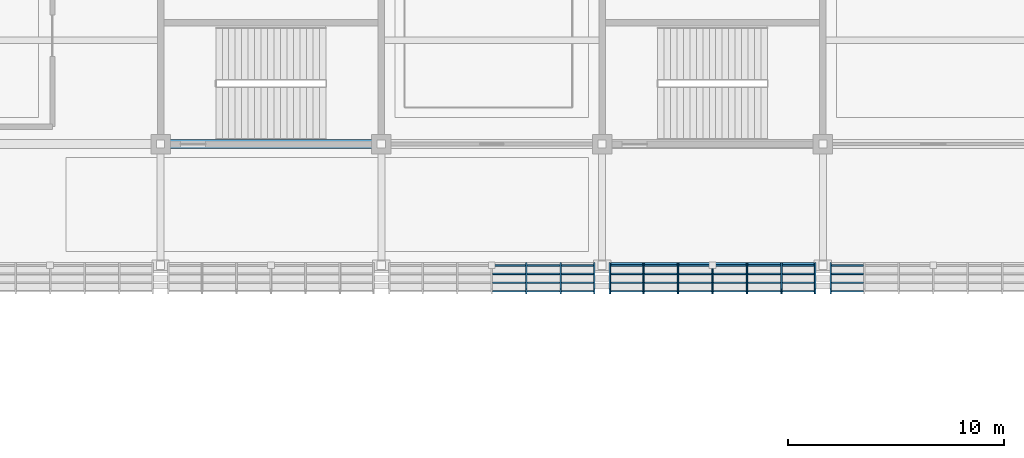
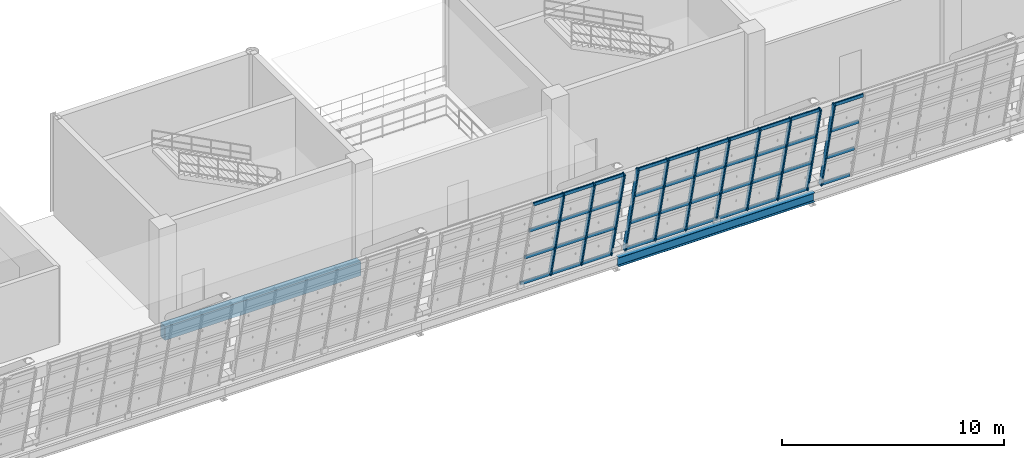
# One storey, part 25 of 175: 51 members, 2 beams, 3 elements without a shape of their own.
"""IFC4 building model written with IfcOpenShell, lengths in metres."""

from ifc_helpers import new_model, si_unit, direction, frame, origin, origin_2d, place, context, subcontext, project, spatial, rectangle, hollow_rectangle, i_section, extrude, material, material_profile, profile_set, type_object, element, aggregate, save


model = new_model("IFC4")

# Units and contexts
model_context = context("Model", 3, precision=1e-05, world=origin(), true_north=direction((0.0, 1.0)))
body_context = subcontext(model_context, "Body", "Model", "MODEL_VIEW")
ifc_project = project(units=[si_unit("LENGTHUNIT", "METRE"), si_unit("AREAUNIT", "SQUARE_METRE"), si_unit("VOLUMEUNIT", "CUBIC_METRE"), si_unit("PLANEANGLEUNIT", "RADIAN"), si_unit("MASSUNIT", "GRAM", prefix="KILO")], contexts=[model_context])

# Site, building, storey
site_placement = place(None, origin())
site = spatial("IfcSite", under=ifc_project, at=site_placement, CompositionType="ELEMENT")
building_placement = place(site_placement, origin())
building = spatial("IfcBuilding", under=site, at=building_placement, Name="Brelvane Convention Centre", CompositionType="ELEMENT")
storey_placement = place(building_placement, frame((0.0, 0.0, 5.39990234375)))
storey = spatial("IfcBuildingStorey", under=building, at=storey_placement, Name="L01", CompositionType="ELEMENT", Elevation=5.39990234375)

# Curtain wall, members
ifc_material_1 = material(Name="Anodised Aluminium Alloy 6063-T6", Category="aluminium")
curtain_wall_type = type_object("IfcCurtainWallType", Name="Curtain Wall CW-HULL-S", PredefinedType="USERDEFINED", material=ifc_material_1)
curtain_wall_1_placement = place(storey_placement, origin())
curtain_wall_1 = element("IfcCurtainWall", 1, at=curtain_wall_1_placement, inside=storey, type_object=curtain_wall_type, Name="Curtain Wall CW-HULL-S L01-HULL-S-L01-05", ObjectType="UNITISED", PredefinedType="USERDEFINED")
ifc_material_2 = material(Name="Anodised Aluminium Alloy 6063-T6", Category="aluminium")
ifc_material_profile_1 = material_profile(ifc_material_2, hollow_rectangle(XDim=0.080078125, YDim=0.239990234375, WallThickness=0.006103515625, InnerFilletRadius=0.006103515625, OuterFilletRadius=0.011962890625, at=origin_2d()), Name="ALU-M 240x80x6.0")
ifc_profile_set_1 = profile_set([ifc_material_profile_1], Name="Anodised Aluminium Alloy 6063-T6")
member_type_1 = type_object("IfcMemberType", Name="Curtain Mullion CW-M1", PredefinedType="MULLION", material=ifc_profile_set_1)
member_1_placement = place(storey_placement, frame((47.493408203125, 13.60009765625, 0.0), z_axis=(0.0, -0.228360162456, 0.973576723326), x_axis=(1.0, 0.0, 0.0)))
member_1 = element("IfcMember", 2, at=member_1_placement, type_object=member_type_1, Name="CW-HULL-S mullion 5", PredefinedType="MULLION", context=body_context, shape_type="SweptSolid", body=[
    extrude(hollow_rectangle(XDim=0.080078125, YDim=0.239990234375, WallThickness=0.006103515625, InnerFilletRadius=0.006103515625, OuterFilletRadius=0.011962890625, at=origin_2d()), origin(), (0.0, 0.0, 1.0), 5.2900390625),
])
member_2_placement = place(storey_placement, frame((49.086669921875, 13.60009765625, 0.0), z_axis=(0.0, -0.228360162456, 0.973576723326), x_axis=(1.0, 0.0, 0.0)))
member_2 = element("IfcMember", 3, at=member_2_placement, type_object=member_type_1, Name="CW-HULL-S mullion 6", PredefinedType="MULLION", context=body_context, shape_type="SweptSolid", body=[
    extrude(hollow_rectangle(XDim=0.080078125, YDim=0.239990234375, WallThickness=0.006103515625, InnerFilletRadius=0.006103515625, OuterFilletRadius=0.011962890625, at=origin_2d()), origin(), (0.0, 0.0, 1.0), 5.2900390625),
])
member_3_placement = place(storey_placement, frame((50.639892578125, 13.60009765625, 0.0), z_axis=(0.0, -0.228360162456, 0.973576723326), x_axis=(1.0, 0.0, 0.0)))
member_3 = element("IfcMember", 4, at=member_3_placement, type_object=member_type_1, Name="CW-HULL-S mullion 7", PredefinedType="MULLION", context=body_context, shape_type="SweptSolid", body=[
    extrude(hollow_rectangle(XDim=0.080078125, YDim=0.239990234375, WallThickness=0.006103515625, InnerFilletRadius=0.006103515625, OuterFilletRadius=0.011962890625, at=origin_2d()), origin(), (0.0, 0.0, 1.0), 5.2900390625),
])

curtain_wall_2_placement = place(storey_placement, origin())
curtain_wall_2 = element("IfcCurtainWall", 5, at=curtain_wall_2_placement, inside=storey, type_object=curtain_wall_type, Name="Curtain Wall CW-HULL-S L01-HULL-S-L01-06", ObjectType="UNITISED", PredefinedType="USERDEFINED")
member_4_placement = place(storey_placement, frame((51.360107421875, 13.60009765625, 0.0), z_axis=(0.0, -0.228360162456, 0.973576723326), x_axis=(1.0, 0.0, 0.0)))
member_4 = element("IfcMember", 6, at=member_4_placement, type_object=member_type_1, Name="CW-HULL-S mullion 1", PredefinedType="MULLION", context=body_context, shape_type="SweptSolid", body=[
    extrude(hollow_rectangle(XDim=0.080078125, YDim=0.239990234375, WallThickness=0.006103515625, InnerFilletRadius=0.006103515625, OuterFilletRadius=0.011962890625, at=origin_2d()), origin(), (0.0, 0.0, 1.0), 5.2900390625),
])
member_5_placement = place(storey_placement, frame((52.913330078125, 13.60009765625, 0.0), z_axis=(0.0, -0.228360162456, 0.973576723326), x_axis=(1.0, 0.0, 0.0)))
member_5 = element("IfcMember", 7, at=member_5_placement, type_object=member_type_1, Name="CW-HULL-S mullion 2", PredefinedType="MULLION", context=body_context, shape_type="SweptSolid", body=[
    extrude(hollow_rectangle(XDim=0.080078125, YDim=0.239990234375, WallThickness=0.006103515625, InnerFilletRadius=0.006103515625, OuterFilletRadius=0.011962890625, at=origin_2d()), origin(), (0.0, 0.0, 1.0), 5.2900390625),
])
member_6_placement = place(storey_placement, frame((54.506591796875, 13.60009765625, 0.0), z_axis=(0.0, -0.228360162456, 0.973576723326), x_axis=(1.0, 0.0, 0.0)))
member_6 = element("IfcMember", 8, at=member_6_placement, type_object=member_type_1, Name="CW-HULL-S mullion 3", PredefinedType="MULLION", context=body_context, shape_type="SweptSolid", body=[
    extrude(hollow_rectangle(XDim=0.080078125, YDim=0.239990234375, WallThickness=0.006103515625, InnerFilletRadius=0.006103515625, OuterFilletRadius=0.011962890625, at=origin_2d()), origin(), (0.0, 0.0, 1.0), 5.2900390625),
])
member_7_placement = place(storey_placement, frame((56.10009765625, 13.60009765625, 0.0), z_axis=(0.0, -0.228360162456, 0.973576723326), x_axis=(1.0, 0.0, 0.0)))
member_7 = element("IfcMember", 9, at=member_7_placement, type_object=member_type_1, Name="CW-HULL-S mullion 4", PredefinedType="MULLION", context=body_context, shape_type="SweptSolid", body=[
    extrude(hollow_rectangle(XDim=0.080078125, YDim=0.239990234375, WallThickness=0.006103515625, InnerFilletRadius=0.006103515625, OuterFilletRadius=0.011962890625, at=origin_2d()), origin(), (0.0, 0.0, 1.0), 5.2900390625),
])
member_8_placement = place(storey_placement, frame((57.693359375, 13.60009765625, 0.0), z_axis=(0.0, -0.228360162456, 0.973576723326), x_axis=(1.0, 0.0, 0.0)))
member_8 = element("IfcMember", 10, at=member_8_placement, type_object=member_type_1, Name="CW-HULL-S mullion 5", PredefinedType="MULLION", context=body_context, shape_type="SweptSolid", body=[
    extrude(hollow_rectangle(XDim=0.080078125, YDim=0.239990234375, WallThickness=0.006103515625, InnerFilletRadius=0.006103515625, OuterFilletRadius=0.011962890625, at=origin_2d()), origin(), (0.0, 0.0, 1.0), 5.2900390625),
])
member_9_placement = place(storey_placement, frame((59.28662109375, 13.60009765625, 0.0), z_axis=(0.0, -0.228360162456, 0.973576723326), x_axis=(1.0, 0.0, 0.0)))
member_9 = element("IfcMember", 11, at=member_9_placement, type_object=member_type_1, Name="CW-HULL-S mullion 6", PredefinedType="MULLION", context=body_context, shape_type="SweptSolid", body=[
    extrude(hollow_rectangle(XDim=0.080078125, YDim=0.239990234375, WallThickness=0.006103515625, InnerFilletRadius=0.006103515625, OuterFilletRadius=0.011962890625, at=origin_2d()), origin(), (0.0, 0.0, 1.0), 5.2900390625),
])
member_10_placement = place(storey_placement, frame((60.840087890625, 13.60009765625, 0.0), z_axis=(0.0, -0.228360162456, 0.973576723326), x_axis=(1.0, 0.0, 0.0)))
member_10 = element("IfcMember", 12, at=member_10_placement, type_object=member_type_1, Name="CW-HULL-S mullion 7", PredefinedType="MULLION", context=body_context, shape_type="SweptSolid", body=[
    extrude(hollow_rectangle(XDim=0.080078125, YDim=0.239990234375, WallThickness=0.006103515625, InnerFilletRadius=0.006103515625, OuterFilletRadius=0.011962890625, at=origin_2d()), origin(), (0.0, 0.0, 1.0), 5.2900390625),
])

# Curtain wall, member
curtain_wall_3_placement = place(storey_placement, origin())
curtain_wall_3 = element("IfcCurtainWall", 13, at=curtain_wall_3_placement, inside=storey, type_object=curtain_wall_type, Name="Curtain Wall CW-HULL-S L01-HULL-S-L01-07", ObjectType="UNITISED", PredefinedType="USERDEFINED")
member_11_placement = place(storey_placement, frame((61.56005859375, 13.60009765625, 0.0), z_axis=(0.0, -0.228360162456, 0.973576723326), x_axis=(1.0, 0.0, 0.0)))
member_11 = element("IfcMember", 14, at=member_11_placement, type_object=member_type_1, Name="CW-HULL-S mullion 1", PredefinedType="MULLION", context=body_context, shape_type="SweptSolid", body=[
    extrude(hollow_rectangle(XDim=0.080078125, YDim=0.239990234375, WallThickness=0.006103515625, InnerFilletRadius=0.006103515625, OuterFilletRadius=0.011962890625, at=origin_2d()), origin(), (0.0, 0.0, 1.0), 5.2900390625),
])

# Member
ifc_material_3 = material(Name="Anodised Aluminium Alloy 6063-T6", Category="aluminium")
ifc_material_profile_2 = material_profile(ifc_material_3, hollow_rectangle(XDim=0.080078125, YDim=0.179931640625, WallThickness=0.0048828125, InnerFilletRadius=0.0048828125, OuterFilletRadius=0.010009765625, at=origin_2d()), Name="ALU-T 180x80x5.0")
ifc_profile_set_2 = profile_set([ifc_material_profile_2], Name="Anodised Aluminium Alloy 6063-T6")
member_type_2 = type_object("IfcMemberType", Name="Curtain Transom CW-T1", PredefinedType="USERDEFINED", material=ifc_profile_set_2)
member_12_placement = place(storey_placement, frame((45.93994140625, 13.590576171875, 0.0400390625), z_axis=(1.0, 0.0, 0.0), x_axis=(0.0, 1.0, 0.0)))
member_12 = element("IfcMember", 15, at=member_12_placement, type_object=member_type_2, Name="CW-HULL-S transom 4.1", ObjectType="TRANSOM", PredefinedType="USERDEFINED", context=body_context, shape_type="SweptSolid", body=[
    extrude(hollow_rectangle(XDim=0.080078125, YDim=0.179931640625, WallThickness=0.0048828125, InnerFilletRadius=0.0048828125, OuterFilletRadius=0.010009765625, at=origin_2d()), origin(), (0.0, 0.0, 1.0), 1.513427734375),
])

member_13_placement = place(storey_placement, frame((45.93994140625, 13.197265625, 1.716796875), z_axis=(1.0, 0.0, 0.0), x_axis=(0.0, 1.0, 0.0)))
member_13 = element("IfcMember", 16, at=member_13_placement, type_object=member_type_2, Name="CW-HULL-S transom 4.2", ObjectType="TRANSOM", PredefinedType="USERDEFINED", context=body_context, shape_type="SweptSolid", body=[
    extrude(hollow_rectangle(XDim=0.080078125, YDim=0.179931640625, WallThickness=0.0048828125, InnerFilletRadius=0.0048828125, OuterFilletRadius=0.010009765625, at=origin_2d()), origin(), (0.0, 0.0, 1.0), 1.513427734375),
])

member_14_placement = place(storey_placement, frame((45.93994140625, 12.794677734375, 3.433349609375), z_axis=(1.0, 0.0, 0.0), x_axis=(0.0, 1.0, 0.0)))
member_14 = element("IfcMember", 17, at=member_14_placement, type_object=member_type_2, Name="CW-HULL-S transom 4.3", ObjectType="TRANSOM", PredefinedType="USERDEFINED", context=body_context, shape_type="SweptSolid", body=[
    extrude(hollow_rectangle(XDim=0.080078125, YDim=0.179931640625, WallThickness=0.0048828125, InnerFilletRadius=0.0048828125, OuterFilletRadius=0.010009765625, at=origin_2d()), origin(), (0.0, 0.0, 1.0), 1.513427734375),
])

member_15_placement = place(storey_placement, frame((45.93994140625, 12.4013671875, 5.110107421875), z_axis=(1.0, 0.0, 0.0), x_axis=(0.0, 1.0, 0.0)))
member_15 = element("IfcMember", 18, at=member_15_placement, type_object=member_type_2, Name="CW-HULL-S transom 4.4", ObjectType="TRANSOM", PredefinedType="USERDEFINED", context=body_context, shape_type="SweptSolid", body=[
    extrude(hollow_rectangle(XDim=0.080078125, YDim=0.179931640625, WallThickness=0.0048828125, InnerFilletRadius=0.0048828125, OuterFilletRadius=0.010009765625, at=origin_2d()), origin(), (0.0, 0.0, 1.0), 1.513427734375),
])

member_16_placement = place(storey_placement, frame((47.533447265625, 13.590576171875, 0.0400390625), z_axis=(1.0, 0.0, 0.0), x_axis=(0.0, 1.0, 0.0)))
member_16 = element("IfcMember", 19, at=member_16_placement, type_object=member_type_2, Name="CW-HULL-S transom 5.1", ObjectType="TRANSOM", PredefinedType="USERDEFINED", context=body_context, shape_type="SweptSolid", body=[
    extrude(hollow_rectangle(XDim=0.080078125, YDim=0.179931640625, WallThickness=0.0048828125, InnerFilletRadius=0.0048828125, OuterFilletRadius=0.010009765625, at=origin_2d()), origin(), (0.0, 0.0, 1.0), 1.51318359375),
])

member_17_placement = place(storey_placement, frame((47.533447265625, 13.197265625, 1.716796875), z_axis=(1.0, 0.0, 0.0), x_axis=(0.0, 1.0, 0.0)))
member_17 = element("IfcMember", 20, at=member_17_placement, type_object=member_type_2, Name="CW-HULL-S transom 5.2", ObjectType="TRANSOM", PredefinedType="USERDEFINED", context=body_context, shape_type="SweptSolid", body=[
    extrude(hollow_rectangle(XDim=0.080078125, YDim=0.179931640625, WallThickness=0.0048828125, InnerFilletRadius=0.0048828125, OuterFilletRadius=0.010009765625, at=origin_2d()), origin(), (0.0, 0.0, 1.0), 1.51318359375),
])

member_18_placement = place(storey_placement, frame((47.533447265625, 12.794677734375, 3.433349609375), z_axis=(1.0, 0.0, 0.0), x_axis=(0.0, 1.0, 0.0)))
member_18 = element("IfcMember", 21, at=member_18_placement, type_object=member_type_2, Name="CW-HULL-S transom 5.3", ObjectType="TRANSOM", PredefinedType="USERDEFINED", context=body_context, shape_type="SweptSolid", body=[
    extrude(hollow_rectangle(XDim=0.080078125, YDim=0.179931640625, WallThickness=0.0048828125, InnerFilletRadius=0.0048828125, OuterFilletRadius=0.010009765625, at=origin_2d()), origin(), (0.0, 0.0, 1.0), 1.51318359375),
])

member_19_placement = place(storey_placement, frame((47.533447265625, 12.4013671875, 5.110107421875), z_axis=(1.0, 0.0, 0.0), x_axis=(0.0, 1.0, 0.0)))
member_19 = element("IfcMember", 22, at=member_19_placement, type_object=member_type_2, Name="CW-HULL-S transom 5.4", ObjectType="TRANSOM", PredefinedType="USERDEFINED", context=body_context, shape_type="SweptSolid", body=[
    extrude(hollow_rectangle(XDim=0.080078125, YDim=0.179931640625, WallThickness=0.0048828125, InnerFilletRadius=0.0048828125, OuterFilletRadius=0.010009765625, at=origin_2d()), origin(), (0.0, 0.0, 1.0), 1.51318359375),
])

member_20_placement = place(storey_placement, frame((49.126708984375, 13.590576171875, 0.0400390625), z_axis=(1.0, 0.0, 0.0), x_axis=(0.0, 1.0, 0.0)))
member_20 = element("IfcMember", 23, at=member_20_placement, type_object=member_type_2, Name="CW-HULL-S transom 6.1", ObjectType="TRANSOM", PredefinedType="USERDEFINED", context=body_context, shape_type="SweptSolid", body=[
    extrude(hollow_rectangle(XDim=0.080078125, YDim=0.179931640625, WallThickness=0.0048828125, InnerFilletRadius=0.0048828125, OuterFilletRadius=0.010009765625, at=origin_2d()), origin(), (0.0, 0.0, 1.0), 1.473388671875),
])

member_21_placement = place(storey_placement, frame((49.126708984375, 13.197265625, 1.716796875), z_axis=(1.0, 0.0, 0.0), x_axis=(0.0, 1.0, 0.0)))
member_21 = element("IfcMember", 24, at=member_21_placement, type_object=member_type_2, Name="CW-HULL-S transom 6.2", ObjectType="TRANSOM", PredefinedType="USERDEFINED", context=body_context, shape_type="SweptSolid", body=[
    extrude(hollow_rectangle(XDim=0.080078125, YDim=0.179931640625, WallThickness=0.0048828125, InnerFilletRadius=0.0048828125, OuterFilletRadius=0.010009765625, at=origin_2d()), origin(), (0.0, 0.0, 1.0), 1.473388671875),
])

member_22_placement = place(storey_placement, frame((49.126708984375, 12.794677734375, 3.433349609375), z_axis=(1.0, 0.0, 0.0), x_axis=(0.0, 1.0, 0.0)))
member_22 = element("IfcMember", 25, at=member_22_placement, type_object=member_type_2, Name="CW-HULL-S transom 6.3", ObjectType="TRANSOM", PredefinedType="USERDEFINED", context=body_context, shape_type="SweptSolid", body=[
    extrude(hollow_rectangle(XDim=0.080078125, YDim=0.179931640625, WallThickness=0.0048828125, InnerFilletRadius=0.0048828125, OuterFilletRadius=0.010009765625, at=origin_2d()), origin(), (0.0, 0.0, 1.0), 1.473388671875),
])

member_23_placement = place(storey_placement, frame((49.126708984375, 12.4013671875, 5.110107421875), z_axis=(1.0, 0.0, 0.0), x_axis=(0.0, 1.0, 0.0)))
member_23 = element("IfcMember", 26, at=member_23_placement, type_object=member_type_2, Name="CW-HULL-S transom 6.4", ObjectType="TRANSOM", PredefinedType="USERDEFINED", context=body_context, shape_type="SweptSolid", body=[
    extrude(hollow_rectangle(XDim=0.080078125, YDim=0.179931640625, WallThickness=0.0048828125, InnerFilletRadius=0.0048828125, OuterFilletRadius=0.010009765625, at=origin_2d()), origin(), (0.0, 0.0, 1.0), 1.473388671875),
])

aggregate(curtain_wall_1, [member_1, member_2, member_3, member_12, member_13, member_14, member_15, member_16, member_17, member_18, member_19, member_20, member_21, member_22, member_23])

member_24_placement = place(storey_placement, frame((51.39990234375, 13.590576171875, 0.0400390625), z_axis=(1.0, 0.0, 0.0), x_axis=(0.0, 1.0, 0.0)))
member_24 = element("IfcMember", 27, at=member_24_placement, type_object=member_type_2, Name="CW-HULL-S transom 1.1", ObjectType="TRANSOM", PredefinedType="USERDEFINED", context=body_context, shape_type="SweptSolid", body=[
    extrude(hollow_rectangle(XDim=0.080078125, YDim=0.179931640625, WallThickness=0.0048828125, InnerFilletRadius=0.0048828125, OuterFilletRadius=0.010009765625, at=origin_2d()), origin(), (0.0, 0.0, 1.0), 1.473388671875),
])

member_25_placement = place(storey_placement, frame((51.39990234375, 13.197265625, 1.716796875), z_axis=(1.0, 0.0, 0.0), x_axis=(0.0, 1.0, 0.0)))
member_25 = element("IfcMember", 28, at=member_25_placement, type_object=member_type_2, Name="CW-HULL-S transom 1.2", ObjectType="TRANSOM", PredefinedType="USERDEFINED", context=body_context, shape_type="SweptSolid", body=[
    extrude(hollow_rectangle(XDim=0.080078125, YDim=0.179931640625, WallThickness=0.0048828125, InnerFilletRadius=0.0048828125, OuterFilletRadius=0.010009765625, at=origin_2d()), origin(), (0.0, 0.0, 1.0), 1.473388671875),
])

member_26_placement = place(storey_placement, frame((51.39990234375, 12.794677734375, 3.433349609375), z_axis=(1.0, 0.0, 0.0), x_axis=(0.0, 1.0, 0.0)))
member_26 = element("IfcMember", 29, at=member_26_placement, type_object=member_type_2, Name="CW-HULL-S transom 1.3", ObjectType="TRANSOM", PredefinedType="USERDEFINED", context=body_context, shape_type="SweptSolid", body=[
    extrude(hollow_rectangle(XDim=0.080078125, YDim=0.179931640625, WallThickness=0.0048828125, InnerFilletRadius=0.0048828125, OuterFilletRadius=0.010009765625, at=origin_2d()), origin(), (0.0, 0.0, 1.0), 1.473388671875),
])

member_27_placement = place(storey_placement, frame((51.39990234375, 12.4013671875, 5.110107421875), z_axis=(1.0, 0.0, 0.0), x_axis=(0.0, 1.0, 0.0)))
member_27 = element("IfcMember", 30, at=member_27_placement, type_object=member_type_2, Name="CW-HULL-S transom 1.4", ObjectType="TRANSOM", PredefinedType="USERDEFINED", context=body_context, shape_type="SweptSolid", body=[
    extrude(hollow_rectangle(XDim=0.080078125, YDim=0.179931640625, WallThickness=0.0048828125, InnerFilletRadius=0.0048828125, OuterFilletRadius=0.010009765625, at=origin_2d()), origin(), (0.0, 0.0, 1.0), 1.473388671875),
])

member_28_placement = place(storey_placement, frame((52.953369140625, 13.590576171875, 0.0400390625), z_axis=(1.0, 0.0, 0.0), x_axis=(0.0, 1.0, 0.0)))
member_28 = element("IfcMember", 31, at=member_28_placement, type_object=member_type_2, Name="CW-HULL-S transom 2.1", ObjectType="TRANSOM", PredefinedType="USERDEFINED", context=body_context, shape_type="SweptSolid", body=[
    extrude(hollow_rectangle(XDim=0.080078125, YDim=0.179931640625, WallThickness=0.0048828125, InnerFilletRadius=0.0048828125, OuterFilletRadius=0.010009765625, at=origin_2d()), origin(), (0.0, 0.0, 1.0), 1.51318359375),
])

member_29_placement = place(storey_placement, frame((52.953369140625, 13.197265625, 1.716796875), z_axis=(1.0, 0.0, 0.0), x_axis=(0.0, 1.0, 0.0)))
member_29 = element("IfcMember", 32, at=member_29_placement, type_object=member_type_2, Name="CW-HULL-S transom 2.2", ObjectType="TRANSOM", PredefinedType="USERDEFINED", context=body_context, shape_type="SweptSolid", body=[
    extrude(hollow_rectangle(XDim=0.080078125, YDim=0.179931640625, WallThickness=0.0048828125, InnerFilletRadius=0.0048828125, OuterFilletRadius=0.010009765625, at=origin_2d()), origin(), (0.0, 0.0, 1.0), 1.51318359375),
])

member_30_placement = place(storey_placement, frame((52.953369140625, 12.794677734375, 3.433349609375), z_axis=(1.0, 0.0, 0.0), x_axis=(0.0, 1.0, 0.0)))
member_30 = element("IfcMember", 33, at=member_30_placement, type_object=member_type_2, Name="CW-HULL-S transom 2.3", ObjectType="TRANSOM", PredefinedType="USERDEFINED", context=body_context, shape_type="SweptSolid", body=[
    extrude(hollow_rectangle(XDim=0.080078125, YDim=0.179931640625, WallThickness=0.0048828125, InnerFilletRadius=0.0048828125, OuterFilletRadius=0.010009765625, at=origin_2d()), origin(), (0.0, 0.0, 1.0), 1.51318359375),
])

member_31_placement = place(storey_placement, frame((52.953369140625, 12.4013671875, 5.110107421875), z_axis=(1.0, 0.0, 0.0), x_axis=(0.0, 1.0, 0.0)))
member_31 = element("IfcMember", 34, at=member_31_placement, type_object=member_type_2, Name="CW-HULL-S transom 2.4", ObjectType="TRANSOM", PredefinedType="USERDEFINED", context=body_context, shape_type="SweptSolid", body=[
    extrude(hollow_rectangle(XDim=0.080078125, YDim=0.179931640625, WallThickness=0.0048828125, InnerFilletRadius=0.0048828125, OuterFilletRadius=0.010009765625, at=origin_2d()), origin(), (0.0, 0.0, 1.0), 1.51318359375),
])

member_32_placement = place(storey_placement, frame((54.546630859375, 13.590576171875, 0.0400390625), z_axis=(1.0, 0.0, 0.0), x_axis=(0.0, 1.0, 0.0)))
member_32 = element("IfcMember", 35, at=member_32_placement, type_object=member_type_2, Name="CW-HULL-S transom 3.1", ObjectType="TRANSOM", PredefinedType="USERDEFINED", context=body_context, shape_type="SweptSolid", body=[
    extrude(hollow_rectangle(XDim=0.080078125, YDim=0.179931640625, WallThickness=0.0048828125, InnerFilletRadius=0.0048828125, OuterFilletRadius=0.010009765625, at=origin_2d()), origin(), (0.0, 0.0, 1.0), 1.513427734375),
])

member_33_placement = place(storey_placement, frame((54.546630859375, 13.197265625, 1.716796875), z_axis=(1.0, 0.0, 0.0), x_axis=(0.0, 1.0, 0.0)))
member_33 = element("IfcMember", 36, at=member_33_placement, type_object=member_type_2, Name="CW-HULL-S transom 3.2", ObjectType="TRANSOM", PredefinedType="USERDEFINED", context=body_context, shape_type="SweptSolid", body=[
    extrude(hollow_rectangle(XDim=0.080078125, YDim=0.179931640625, WallThickness=0.0048828125, InnerFilletRadius=0.0048828125, OuterFilletRadius=0.010009765625, at=origin_2d()), origin(), (0.0, 0.0, 1.0), 1.513427734375),
])

member_34_placement = place(storey_placement, frame((54.546630859375, 12.794677734375, 3.433349609375), z_axis=(1.0, 0.0, 0.0), x_axis=(0.0, 1.0, 0.0)))
member_34 = element("IfcMember", 37, at=member_34_placement, type_object=member_type_2, Name="CW-HULL-S transom 3.3", ObjectType="TRANSOM", PredefinedType="USERDEFINED", context=body_context, shape_type="SweptSolid", body=[
    extrude(hollow_rectangle(XDim=0.080078125, YDim=0.179931640625, WallThickness=0.0048828125, InnerFilletRadius=0.0048828125, OuterFilletRadius=0.010009765625, at=origin_2d()), origin(), (0.0, 0.0, 1.0), 1.513427734375),
])

member_35_placement = place(storey_placement, frame((54.546630859375, 12.4013671875, 5.110107421875), z_axis=(1.0, 0.0, 0.0), x_axis=(0.0, 1.0, 0.0)))
member_35 = element("IfcMember", 38, at=member_35_placement, type_object=member_type_2, Name="CW-HULL-S transom 3.4", ObjectType="TRANSOM", PredefinedType="USERDEFINED", context=body_context, shape_type="SweptSolid", body=[
    extrude(hollow_rectangle(XDim=0.080078125, YDim=0.179931640625, WallThickness=0.0048828125, InnerFilletRadius=0.0048828125, OuterFilletRadius=0.010009765625, at=origin_2d()), origin(), (0.0, 0.0, 1.0), 1.513427734375),
])

member_36_placement = place(storey_placement, frame((56.139892578125, 13.590576171875, 0.0400390625), z_axis=(1.0, 0.0, 0.0), x_axis=(0.0, 1.0, 0.0)))
member_36 = element("IfcMember", 39, at=member_36_placement, type_object=member_type_2, Name="CW-HULL-S transom 4.1", ObjectType="TRANSOM", PredefinedType="USERDEFINED", context=body_context, shape_type="SweptSolid", body=[
    extrude(hollow_rectangle(XDim=0.080078125, YDim=0.179931640625, WallThickness=0.0048828125, InnerFilletRadius=0.0048828125, OuterFilletRadius=0.010009765625, at=origin_2d()), origin(), (0.0, 0.0, 1.0), 1.513427734375),
])

member_37_placement = place(storey_placement, frame((56.139892578125, 13.197265625, 1.716796875), z_axis=(1.0, 0.0, 0.0), x_axis=(0.0, 1.0, 0.0)))
member_37 = element("IfcMember", 40, at=member_37_placement, type_object=member_type_2, Name="CW-HULL-S transom 4.2", ObjectType="TRANSOM", PredefinedType="USERDEFINED", context=body_context, shape_type="SweptSolid", body=[
    extrude(hollow_rectangle(XDim=0.080078125, YDim=0.179931640625, WallThickness=0.0048828125, InnerFilletRadius=0.0048828125, OuterFilletRadius=0.010009765625, at=origin_2d()), origin(), (0.0, 0.0, 1.0), 1.513427734375),
])

member_38_placement = place(storey_placement, frame((56.139892578125, 12.794677734375, 3.433349609375), z_axis=(1.0, 0.0, 0.0), x_axis=(0.0, 1.0, 0.0)))
member_38 = element("IfcMember", 41, at=member_38_placement, type_object=member_type_2, Name="CW-HULL-S transom 4.3", ObjectType="TRANSOM", PredefinedType="USERDEFINED", context=body_context, shape_type="SweptSolid", body=[
    extrude(hollow_rectangle(XDim=0.080078125, YDim=0.179931640625, WallThickness=0.0048828125, InnerFilletRadius=0.0048828125, OuterFilletRadius=0.010009765625, at=origin_2d()), origin(), (0.0, 0.0, 1.0), 1.513427734375),
])

member_39_placement = place(storey_placement, frame((56.139892578125, 12.4013671875, 5.110107421875), z_axis=(1.0, 0.0, 0.0), x_axis=(0.0, 1.0, 0.0)))
member_39 = element("IfcMember", 42, at=member_39_placement, type_object=member_type_2, Name="CW-HULL-S transom 4.4", ObjectType="TRANSOM", PredefinedType="USERDEFINED", context=body_context, shape_type="SweptSolid", body=[
    extrude(hollow_rectangle(XDim=0.080078125, YDim=0.179931640625, WallThickness=0.0048828125, InnerFilletRadius=0.0048828125, OuterFilletRadius=0.010009765625, at=origin_2d()), origin(), (0.0, 0.0, 1.0), 1.513427734375),
])

member_40_placement = place(storey_placement, frame((57.7333984375, 13.590576171875, 0.0400390625), z_axis=(1.0, 0.0, 0.0), x_axis=(0.0, 1.0, 0.0)))
member_40 = element("IfcMember", 43, at=member_40_placement, type_object=member_type_2, Name="CW-HULL-S transom 5.1", ObjectType="TRANSOM", PredefinedType="USERDEFINED", context=body_context, shape_type="SweptSolid", body=[
    extrude(hollow_rectangle(XDim=0.080078125, YDim=0.179931640625, WallThickness=0.0048828125, InnerFilletRadius=0.0048828125, OuterFilletRadius=0.010009765625, at=origin_2d()), origin(), (0.0, 0.0, 1.0), 1.51318359375),
])

member_41_placement = place(storey_placement, frame((57.7333984375, 13.197265625, 1.716796875), z_axis=(1.0, 0.0, 0.0), x_axis=(0.0, 1.0, 0.0)))
member_41 = element("IfcMember", 44, at=member_41_placement, type_object=member_type_2, Name="CW-HULL-S transom 5.2", ObjectType="TRANSOM", PredefinedType="USERDEFINED", context=body_context, shape_type="SweptSolid", body=[
    extrude(hollow_rectangle(XDim=0.080078125, YDim=0.179931640625, WallThickness=0.0048828125, InnerFilletRadius=0.0048828125, OuterFilletRadius=0.010009765625, at=origin_2d()), origin(), (0.0, 0.0, 1.0), 1.51318359375),
])

member_42_placement = place(storey_placement, frame((57.7333984375, 12.794677734375, 3.433349609375), z_axis=(1.0, 0.0, 0.0), x_axis=(0.0, 1.0, 0.0)))
member_42 = element("IfcMember", 45, at=member_42_placement, type_object=member_type_2, Name="CW-HULL-S transom 5.3", ObjectType="TRANSOM", PredefinedType="USERDEFINED", context=body_context, shape_type="SweptSolid", body=[
    extrude(hollow_rectangle(XDim=0.080078125, YDim=0.179931640625, WallThickness=0.0048828125, InnerFilletRadius=0.0048828125, OuterFilletRadius=0.010009765625, at=origin_2d()), origin(), (0.0, 0.0, 1.0), 1.51318359375),
])

member_43_placement = place(storey_placement, frame((57.7333984375, 12.4013671875, 5.110107421875), z_axis=(1.0, 0.0, 0.0), x_axis=(0.0, 1.0, 0.0)))
member_43 = element("IfcMember", 46, at=member_43_placement, type_object=member_type_2, Name="CW-HULL-S transom 5.4", ObjectType="TRANSOM", PredefinedType="USERDEFINED", context=body_context, shape_type="SweptSolid", body=[
    extrude(hollow_rectangle(XDim=0.080078125, YDim=0.179931640625, WallThickness=0.0048828125, InnerFilletRadius=0.0048828125, OuterFilletRadius=0.010009765625, at=origin_2d()), origin(), (0.0, 0.0, 1.0), 1.51318359375),
])

member_44_placement = place(storey_placement, frame((59.32666015625, 13.590576171875, 0.0400390625), z_axis=(1.0, 0.0, 0.0), x_axis=(0.0, 1.0, 0.0)))
member_44 = element("IfcMember", 47, at=member_44_placement, type_object=member_type_2, Name="CW-HULL-S transom 6.1", ObjectType="TRANSOM", PredefinedType="USERDEFINED", context=body_context, shape_type="SweptSolid", body=[
    extrude(hollow_rectangle(XDim=0.080078125, YDim=0.179931640625, WallThickness=0.0048828125, InnerFilletRadius=0.0048828125, OuterFilletRadius=0.010009765625, at=origin_2d()), origin(), (0.0, 0.0, 1.0), 1.473388671875),
])

member_45_placement = place(storey_placement, frame((59.32666015625, 13.197265625, 1.716796875), z_axis=(1.0, 0.0, 0.0), x_axis=(0.0, 1.0, 0.0)))
member_45 = element("IfcMember", 48, at=member_45_placement, type_object=member_type_2, Name="CW-HULL-S transom 6.2", ObjectType="TRANSOM", PredefinedType="USERDEFINED", context=body_context, shape_type="SweptSolid", body=[
    extrude(hollow_rectangle(XDim=0.080078125, YDim=0.179931640625, WallThickness=0.0048828125, InnerFilletRadius=0.0048828125, OuterFilletRadius=0.010009765625, at=origin_2d()), origin(), (0.0, 0.0, 1.0), 1.473388671875),
])

member_46_placement = place(storey_placement, frame((59.32666015625, 12.794677734375, 3.433349609375), z_axis=(1.0, 0.0, 0.0), x_axis=(0.0, 1.0, 0.0)))
member_46 = element("IfcMember", 49, at=member_46_placement, type_object=member_type_2, Name="CW-HULL-S transom 6.3", ObjectType="TRANSOM", PredefinedType="USERDEFINED", context=body_context, shape_type="SweptSolid", body=[
    extrude(hollow_rectangle(XDim=0.080078125, YDim=0.179931640625, WallThickness=0.0048828125, InnerFilletRadius=0.0048828125, OuterFilletRadius=0.010009765625, at=origin_2d()), origin(), (0.0, 0.0, 1.0), 1.473388671875),
])

member_47_placement = place(storey_placement, frame((59.32666015625, 12.4013671875, 5.110107421875), z_axis=(1.0, 0.0, 0.0), x_axis=(0.0, 1.0, 0.0)))
member_47 = element("IfcMember", 50, at=member_47_placement, type_object=member_type_2, Name="CW-HULL-S transom 6.4", ObjectType="TRANSOM", PredefinedType="USERDEFINED", context=body_context, shape_type="SweptSolid", body=[
    extrude(hollow_rectangle(XDim=0.080078125, YDim=0.179931640625, WallThickness=0.0048828125, InnerFilletRadius=0.0048828125, OuterFilletRadius=0.010009765625, at=origin_2d()), origin(), (0.0, 0.0, 1.0), 1.473388671875),
])

aggregate(curtain_wall_2, [member_4, member_5, member_6, member_7, member_8, member_9, member_10, member_24, member_25, member_26, member_27, member_28, member_29, member_30, member_31, member_32, member_33, member_34, member_35, member_36, member_37, member_38, member_39, member_40, member_41, member_42, member_43, member_44, member_45, member_46, member_47])

member_48_placement = place(storey_placement, frame((61.60009765625, 13.590576171875, 0.0400390625), z_axis=(1.0, 0.0, 0.0), x_axis=(0.0, 1.0, 0.0)))
member_48 = element("IfcMember", 51, at=member_48_placement, type_object=member_type_2, Name="CW-HULL-S transom 1.1", ObjectType="TRANSOM", PredefinedType="USERDEFINED", context=body_context, shape_type="SweptSolid", body=[
    extrude(hollow_rectangle(XDim=0.080078125, YDim=0.179931640625, WallThickness=0.0048828125, InnerFilletRadius=0.0048828125, OuterFilletRadius=0.010009765625, at=origin_2d()), origin(), (0.0, 0.0, 1.0), 1.47314453125),
])

member_49_placement = place(storey_placement, frame((61.60009765625, 13.197265625, 1.716796875), z_axis=(1.0, 0.0, 0.0), x_axis=(0.0, 1.0, 0.0)))
member_49 = element("IfcMember", 52, at=member_49_placement, type_object=member_type_2, Name="CW-HULL-S transom 1.2", ObjectType="TRANSOM", PredefinedType="USERDEFINED", context=body_context, shape_type="SweptSolid", body=[
    extrude(hollow_rectangle(XDim=0.080078125, YDim=0.179931640625, WallThickness=0.0048828125, InnerFilletRadius=0.0048828125, OuterFilletRadius=0.010009765625, at=origin_2d()), origin(), (0.0, 0.0, 1.0), 1.47314453125),
])

member_50_placement = place(storey_placement, frame((61.60009765625, 12.794677734375, 3.433349609375), z_axis=(1.0, 0.0, 0.0), x_axis=(0.0, 1.0, 0.0)))
member_50 = element("IfcMember", 53, at=member_50_placement, type_object=member_type_2, Name="CW-HULL-S transom 1.3", ObjectType="TRANSOM", PredefinedType="USERDEFINED", context=body_context, shape_type="SweptSolid", body=[
    extrude(hollow_rectangle(XDim=0.080078125, YDim=0.179931640625, WallThickness=0.0048828125, InnerFilletRadius=0.0048828125, OuterFilletRadius=0.010009765625, at=origin_2d()), origin(), (0.0, 0.0, 1.0), 1.47314453125),
])

member_51_placement = place(storey_placement, frame((61.60009765625, 12.4013671875, 5.110107421875), z_axis=(1.0, 0.0, 0.0), x_axis=(0.0, 1.0, 0.0)))
member_51 = element("IfcMember", 54, at=member_51_placement, type_object=member_type_2, Name="CW-HULL-S transom 1.4", ObjectType="TRANSOM", PredefinedType="USERDEFINED", context=body_context, shape_type="SweptSolid", body=[
    extrude(hollow_rectangle(XDim=0.080078125, YDim=0.179931640625, WallThickness=0.0048828125, InnerFilletRadius=0.0048828125, OuterFilletRadius=0.010009765625, at=origin_2d()), origin(), (0.0, 0.0, 1.0), 1.47314453125),
])

aggregate(curtain_wall_3, [member_11, member_48, member_49, member_50, member_51])

# Beams
ifc_material_4 = material(Name="Concrete M40", Category="concrete")
ifc_material_profile_3 = material_profile(ifc_material_4, rectangle(XDim=0.39990234375, YDim=0.75, at=origin_2d()), Name="RC 400x750")
ifc_profile_set_3 = profile_set([ifc_material_profile_3], Name="Concrete M40")
beam_type_1 = type_object("IfcBeamType", Name="RC Spandrel SP-RC1 (RC 400x750)", PredefinedType="SPANDREL", material=ifc_profile_set_3)
beam_1_placement = place(storey_placement, frame((30.60009765625, 19.199951171875, -0.635009765625), z_axis=(1.0, 0.0, 0.0), x_axis=(0.0, 1.0, 0.0)))
element("IfcBeam", 55, at=beam_1_placement, inside=storey, type_object=beam_type_1, Name="L01 Beam 4-5/C", PredefinedType="SPANDREL", context=body_context, shape_type="SweptSolid", body=[
    extrude(rectangle(XDim=0.39990234375, YDim=0.75, at=origin_2d()), origin(), (0.0, 0.0, 1.0), 10.199951171875),
])
ifc_material_5 = material(Name="Steel E350 (350 MPa)", Category="steel")
ifc_material_profile_4 = material_profile(ifc_material_5, i_section(OverallWidth=0.25, OverallDepth=0.5, WebThickness=0.010009765625, FlangeThickness=0.0146484375, FilletRadius=0.01611328125, at=origin_2d()), Name="ISWB 500")
ifc_profile_set_4 = profile_set([ifc_material_profile_4], Name="Steel E350 (350 MPa)")
beam_type_2 = type_object("IfcBeamType", Name="Steel Spandrel SP-ST1 (ISWB 500)", PredefinedType="SPANDREL", material=ifc_profile_set_4)
beam_2_placement = place(storey_placement, frame((51.0, 13.60009765625, -0.510009765625), z_axis=(1.0, 0.0, 0.0), x_axis=(0.0, 1.0, 0.0)))
element("IfcBeam", 56, at=beam_2_placement, inside=storey, type_object=beam_type_2, Name="L01 Hull Overhang Edge Spandrel 6", PredefinedType="SPANDREL", context=body_context, shape_type="SweptSolid", body=[
    extrude(i_section(OverallWidth=0.25, OverallDepth=0.5, WebThickness=0.010009765625, FlangeThickness=0.0146484375, FilletRadius=0.01611328125, at=origin_2d()), origin(), (0.0, 0.0, 1.0), 10.199951171875),
])

save(model, "model.ifc")
